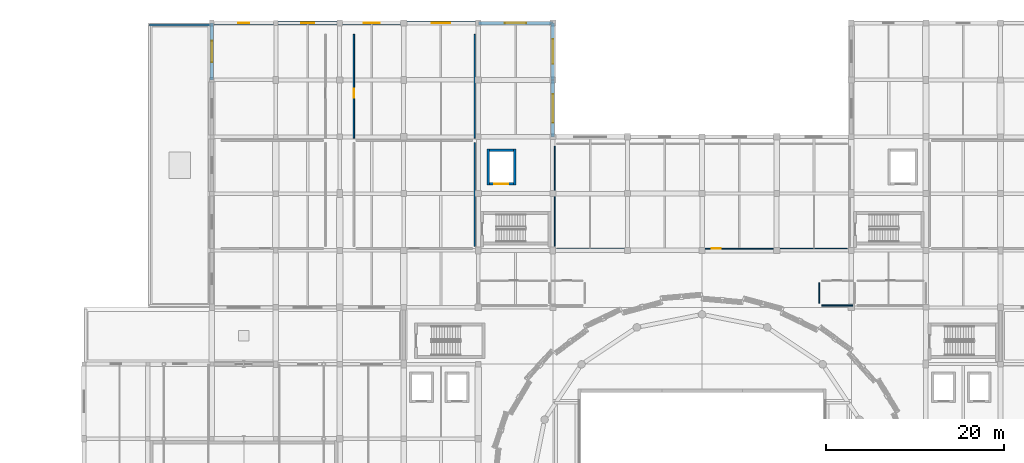
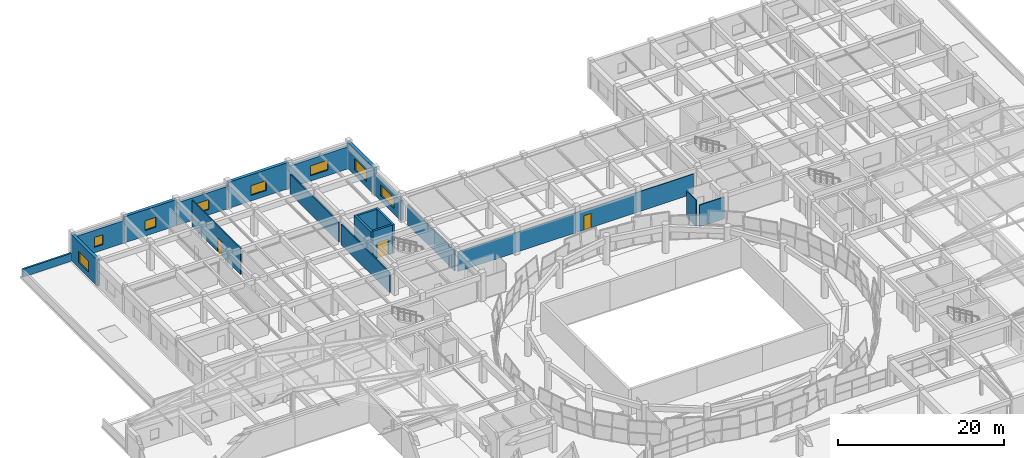
# One storey, part 59 of 74: 20 walls, 8 windows, 3 doors, 11 openings.
"""IFC4 building model written with IfcOpenShell, lengths in metres."""

from ifc_helpers import new_model, si_unit, direction, frame, frame_2d, origin, place, context, subcontext, project, spatial, rectangle, extrude, material, layer, layer_set, type_object, element, fill, save


model = new_model("IFC4")

# Units and contexts
model_context = context("Model", 3, precision=1e-05, world=origin(), true_north=direction((0.0, 1.0)))
body_context = subcontext(model_context, "Body", "Model", "MODEL_VIEW")
ifc_project = project(units=[si_unit("LENGTHUNIT", "METRE"), si_unit("AREAUNIT", "SQUARE_METRE"), si_unit("VOLUMEUNIT", "CUBIC_METRE"), si_unit("PLANEANGLEUNIT", "RADIAN"), si_unit("MASSUNIT", "GRAM", prefix="KILO")], contexts=[model_context])

# Site, building, storey
site_placement = place(None, origin())
site = spatial("IfcSite", under=ifc_project, at=site_placement, CompositionType="ELEMENT")
building_placement = place(site_placement, origin())
building = spatial("IfcBuilding", under=site, at=building_placement, Name="Korsvaeld Concert Hall", CompositionType="ELEMENT")
storey_placement = place(building_placement, frame((0.0, 0.0, 9.0)))
storey = spatial("IfcBuildingStorey", under=building, at=storey_placement, Name="L02", CompositionType="ELEMENT", Elevation=9.0)

# Wall, opening, window
ifc_material_1 = material(Name="Obernkirchener buff sandstone rainscreen on Concrete C35/45", Category="masonry")
ifc_layer_1 = layer(ifc_material_1, 0.389892578125)
ifc_layer_set_1 = layer_set([ifc_layer_1], Name="Obernkirchener buff sandstone rainscreen on Concrete C35/45")
wall_type_1 = type_object("IfcWallType", Name="WL-EXT-BUFF-390", PredefinedType="STANDARD", material=ifc_layer_set_1)
wall_1_placement = place(storey_placement, frame((28.800048828125, 115.199951171875, 0.0), z_axis=(0.0, 0.0, 1.0), x_axis=(1.0, 0.0, 0.0)))
wall_1 = element("IfcWall", 1, at=wall_1_placement, inside=storey, type_object=wall_type_1, Name="Exterior sandstone wall L02-238", PredefinedType="STANDARD", context=body_context, shape_type="SweptSolid", body=[
    extrude(rectangle(XDim=7.199951171875, YDim=0.389892578125, at=frame_2d((3.60009765625, 0.0))), origin(), (0.0, 0.0, 1.0), 3.2900390625),
])
opening_1_placement = place(wall_1_placement, frame((3.0, 0.0, 0.800048828125)))
opening_1 = element("IfcOpeningElement", 2, at=opening_1_placement, cuts=wall_1, Name="Opening WN-06", PredefinedType="OPENING", context=body_context, shape_type="SweptSolid", body=[
    extrude(rectangle(XDim=1.199951171875, YDim=1.449951171875, at=frame_2d((0.60009765625, 0.72509765625))), frame((0.0, 0.205078125, 0.0), z_axis=(0.0, -1.0, 0.0), x_axis=(1.0, 0.0, 0.0)), (0.0, 0.0, 1.0), 0.409912109375),
])
ifc_material_2 = material(Name="Anodised bronze frame with acoustic triple glazing", Category="glass")
window_type_1 = type_object("IfcWindowType", Name="WIN-AC-120x145", PartitioningType="SINGLE_PANEL", PredefinedType="WINDOW", material=ifc_material_2)
window_1_placement = place(opening_1_placement, origin())
window_1 = element("IfcWindow", 3, at=window_1_placement, inside=storey, type_object=window_type_1, Name="Acoustic triple-glazed window L02-142", OverallHeight=1.449951171875, OverallWidth=1.199951171875, PartitioningType="SINGLE_PANEL", PredefinedType="WINDOW", context=body_context, shape_type="SweptSolid", body=[
    extrude(rectangle(XDim=1.199951171875, YDim=1.449951171875, at=frame_2d((0.60009765625, 0.72509765625))), frame((0.0, 0.030029296875, 0.0), z_axis=(0.0, -1.0, 0.0), x_axis=(1.0, 0.0, 0.0)), (0.0, 0.0, 1.0), 0.06005859375),
])
fill(opening_1, window_1)

wall_2_placement = place(storey_placement, frame((43.199951171875, 115.199951171875, 0.0), z_axis=(0.0, 0.0, 1.0), x_axis=(1.0, 0.0, 0.0)))
wall_2 = element("IfcWall", 4, at=wall_2_placement, inside=storey, type_object=wall_type_1, Name="Exterior sandstone wall L02-240", PredefinedType="STANDARD", context=body_context, shape_type="SweptSolid", body=[
    extrude(rectangle(XDim=7.199951171875, YDim=0.389892578125, at=frame_2d((3.60009765625, 0.0))), origin(), (0.0, 0.0, 1.0), 3.2900390625),
])
opening_2_placement = place(wall_2_placement, frame((2.699951171875, 0.0, 0.800048828125)))
opening_2 = element("IfcOpeningElement", 5, at=opening_2_placement, cuts=wall_2, Name="Opening WN-08", PredefinedType="OPENING", context=body_context, shape_type="SweptSolid", body=[
    extrude(rectangle(XDim=1.800048828125, YDim=1.449951171875, at=frame_2d((0.89990234375, 0.72509765625))), frame((0.0, 0.205078125, 0.0), z_axis=(0.0, -1.0, 0.0), x_axis=(1.0, 0.0, 0.0)), (0.0, 0.0, 1.0), 0.409912109375),
])
window_type_2 = type_object("IfcWindowType", Name="WIN-AC-180x145", PartitioningType="SINGLE_PANEL", PredefinedType="WINDOW", material=ifc_material_2)
window_2_placement = place(opening_2_placement, origin())
window_2 = element("IfcWindow", 6, at=window_2_placement, inside=storey, type_object=window_type_2, Name="Acoustic triple-glazed window L02-144", OverallHeight=1.449951171875, OverallWidth=1.800048828125, PartitioningType="SINGLE_PANEL", PredefinedType="WINDOW", context=body_context, shape_type="SweptSolid", body=[
    extrude(rectangle(XDim=1.800048828125, YDim=1.449951171875, at=frame_2d((0.89990234375, 0.72509765625))), frame((0.0, 0.030029296875, 0.0), z_axis=(0.0, -1.0, 0.0), x_axis=(1.0, 0.0, 0.0)), (0.0, 0.0, 1.0), 0.06005859375),
])
fill(opening_2, window_2)

wall_3_placement = place(storey_placement, frame((58.800048828125, 115.199951171875, 0.0), z_axis=(0.0, 0.0, 1.0), x_axis=(1.0, 0.0, 0.0)))
wall_3 = element("IfcWall", 7, at=wall_3_placement, inside=storey, type_object=wall_type_1, Name="Exterior sandstone wall L02-242", PredefinedType="STANDARD", context=body_context, shape_type="SweptSolid", body=[
    extrude(rectangle(XDim=8.39990234375, YDim=0.389892578125, at=frame_2d((4.199951171875, 0.0))), origin(), (0.0, 0.0, 1.0), 3.239990234375),
])
opening_3_placement = place(wall_3_placement, frame((3.0, 0.0, 0.800048828125)))
opening_3 = element("IfcOpeningElement", 8, at=opening_3_placement, cuts=wall_3, Name="Opening WN-10", PredefinedType="OPENING", context=body_context, shape_type="SweptSolid", body=[
    extrude(rectangle(XDim=2.39990234375, YDim=1.449951171875, at=frame_2d((1.199951171875, 0.72509765625))), frame((0.0, 0.205078125, 0.0), z_axis=(0.0, -1.0, 0.0), x_axis=(1.0, 0.0, 0.0)), (0.0, 0.0, 1.0), 0.409912109375),
])
window_type_3 = type_object("IfcWindowType", Name="WIN-AC-240x145", PartitioningType="TRIPLE_PANEL_VERTICAL", PredefinedType="WINDOW", material=ifc_material_2)
window_3_placement = place(opening_3_placement, origin())
window_3 = element("IfcWindow", 9, at=window_3_placement, inside=storey, type_object=window_type_3, Name="Acoustic triple-glazed window L02-146", OverallHeight=1.449951171875, OverallWidth=2.39990234375, PartitioningType="TRIPLE_PANEL_VERTICAL", PredefinedType="WINDOW", context=body_context, shape_type="SweptSolid", body=[
    extrude(rectangle(XDim=2.39990234375, YDim=1.449951171875, at=frame_2d((1.199951171875, 0.72509765625))), frame((0.0, 0.030029296875, 0.0), z_axis=(0.0, -1.0, 0.0), x_axis=(1.0, 0.0, 0.0)), (0.0, 0.0, 1.0), 0.06005859375),
])
fill(opening_3, window_3)

wall_4_placement = place(storey_placement, frame((67.199951171875, 108.800048828125, 0.0), z_axis=(0.0, 0.0, 1.0), x_axis=(0.0, -1.0, 0.0)))
wall_4 = element("IfcWall", 10, at=wall_4_placement, inside=storey, type_object=wall_type_1, Name="Exterior sandstone wall L02-244", PredefinedType="STANDARD", context=body_context, shape_type="SweptSolid", body=[
    extrude(rectangle(XDim=6.400146484375, YDim=0.389892578125, at=frame_2d((3.2001953125, 0.0))), origin(), (0.0, 0.0, 1.0), 2.93994140625),
])
opening_4_placement = place(wall_4_placement, frame((1.60009765625, 0.0, 0.800048828125)))
opening_4 = element("IfcOpeningElement", 11, at=opening_4_placement, cuts=wall_4, Name="Opening WN-15", PredefinedType="OPENING", context=body_context, shape_type="SweptSolid", body=[
    extrude(rectangle(XDim=3.199951171875, YDim=1.60009765625, at=frame_2d((1.60009765625, 0.800048828125))), frame((0.0, 0.205078125, 0.0), z_axis=(0.0, -1.0, 0.0), x_axis=(1.0, 0.0, 0.0)), (0.0, 0.0, 1.0), 0.409912109375),
])
window_type_4 = type_object("IfcWindowType", Name="WIN-AC-320x160", PartitioningType="TRIPLE_PANEL_VERTICAL", PredefinedType="WINDOW", material=ifc_material_2)
window_4_placement = place(opening_4_placement, origin())
window_4 = element("IfcWindow", 12, at=window_4_placement, inside=storey, type_object=window_type_4, Name="Acoustic triple-glazed window L02-148", OverallHeight=1.60009765625, OverallWidth=3.199951171875, PartitioningType="TRIPLE_PANEL_VERTICAL", PredefinedType="WINDOW", context=body_context, shape_type="SweptSolid", body=[
    extrude(rectangle(XDim=3.199951171875, YDim=1.60009765625, at=frame_2d((1.60009765625, 0.800048828125))), frame((0.0, 0.030029296875, 0.0), z_axis=(0.0, -1.0, 0.0), x_axis=(1.0, 0.0, 0.0)), (0.0, 0.0, 1.0), 0.06005859375),
])
fill(opening_4, window_4)

ifc_material_3 = material(Name="Bornholm Nexo rose-red sandstone rainscreen on Concrete C35/45", Category="masonry")
ifc_layer_2 = layer(ifc_material_3, 0.419921875)
ifc_layer_set_2 = layer_set([ifc_layer_2], Name="Bornholm Nexo rose-red sandstone rainscreen on Concrete C35/45")
wall_type_2 = type_object("IfcWallType", Name="WL-EXT-NEXO-420", PredefinedType="STANDARD", material=ifc_layer_set_2)
wall_5_placement = place(storey_placement, frame((28.800048828125, 108.800048828125, 0.0), z_axis=(0.0, 0.0, 1.0), x_axis=(0.0, 1.0, 0.0)))
wall_5 = element("IfcWall", 13, at=wall_5_placement, inside=storey, type_object=wall_type_2, Name="Exterior sandstone wall L02-237", PredefinedType="STANDARD", context=body_context, shape_type="SweptSolid", body=[
    extrude(rectangle(XDim=6.39990234375, YDim=0.419921875, at=frame_2d((3.199951171875, 0.0))), origin(), (0.0, 0.0, 1.0), 3.840087890625),
])
opening_5_placement = place(wall_5_placement, frame((2.0, 0.0, 0.800048828125)))
opening_5 = element("IfcOpeningElement", 14, at=opening_5_placement, cuts=wall_5, Name="Opening WN-05", PredefinedType="OPENING", context=body_context, shape_type="SweptSolid", body=[
    extrude(rectangle(XDim=2.39990234375, YDim=1.64990234375, at=frame_2d((1.199951171875, 0.824951171875))), frame((0.0, 0.219970703125, 0.0), z_axis=(0.0, -1.0, 0.0), x_axis=(1.0, 0.0, 0.0)), (0.0, 0.0, 1.0), 0.43994140625),
])
window_type_5 = type_object("IfcWindowType", Name="WIN-AC-240x165", PartitioningType="TRIPLE_PANEL_VERTICAL", PredefinedType="WINDOW", material=ifc_material_2)
window_5_placement = place(opening_5_placement, origin())
window_5 = element("IfcWindow", 15, at=window_5_placement, inside=storey, type_object=window_type_5, Name="Acoustic triple-glazed window L02-141", OverallHeight=1.64990234375, OverallWidth=2.39990234375, PartitioningType="TRIPLE_PANEL_VERTICAL", PredefinedType="WINDOW", context=body_context, shape_type="SweptSolid", body=[
    extrude(rectangle(XDim=2.39990234375, YDim=1.64990234375, at=frame_2d((1.199951171875, 0.824951171875))), frame((0.0, 0.030029296875, 0.0), z_axis=(0.0, -1.0, 0.0), x_axis=(1.0, 0.0, 0.0)), (0.0, 0.0, 1.0), 0.06005859375),
])
fill(opening_5, window_5)

wall_6_placement = place(storey_placement, frame((36.0, 115.199951171875, 0.0), z_axis=(0.0, 0.0, 1.0), x_axis=(1.0, 0.0, 0.0)))
wall_6 = element("IfcWall", 16, at=wall_6_placement, inside=storey, type_object=wall_type_2, Name="Exterior sandstone wall L02-239", PredefinedType="STANDARD", context=body_context, shape_type="SweptSolid", body=[
    extrude(rectangle(XDim=7.199951171875, YDim=0.419921875, at=frame_2d((3.60009765625, 0.0))), origin(), (0.0, 0.0, 1.0), 3.840087890625),
])
opening_6_placement = place(wall_6_placement, frame((2.85009765625, 0.0, 0.800048828125)))
opening_6 = element("IfcOpeningElement", 17, at=opening_6_placement, cuts=wall_6, Name="Opening WN-07", PredefinedType="OPENING", context=body_context, shape_type="SweptSolid", body=[
    extrude(rectangle(XDim=1.5, YDim=1.449951171875, at=frame_2d((0.75, 0.72509765625))), frame((0.0, 0.219970703125, 0.0), z_axis=(0.0, -1.0, 0.0), x_axis=(1.0, 0.0, 0.0)), (0.0, 0.0, 1.0), 0.43994140625),
])
window_type_6 = type_object("IfcWindowType", Name="WIN-AC-150x145", PartitioningType="SINGLE_PANEL", PredefinedType="WINDOW", material=ifc_material_2)
window_6_placement = place(opening_6_placement, origin())
window_6 = element("IfcWindow", 18, at=window_6_placement, inside=storey, type_object=window_type_6, Name="Acoustic triple-glazed window L02-143", OverallHeight=1.449951171875, OverallWidth=1.5, PartitioningType="SINGLE_PANEL", PredefinedType="WINDOW", context=body_context, shape_type="SweptSolid", body=[
    extrude(rectangle(XDim=1.5, YDim=1.449951171875, at=frame_2d((0.75, 0.72509765625))), frame((0.0, 0.030029296875, 0.0), z_axis=(0.0, -1.0, 0.0), x_axis=(1.0, 0.0, 0.0)), (0.0, 0.0, 1.0), 0.06005859375),
])
fill(opening_6, window_6)

wall_7_placement = place(storey_placement, frame((50.39990234375, 115.199951171875, 0.0), z_axis=(0.0, 0.0, 1.0), x_axis=(1.0, 0.0, 0.0)))
wall_7 = element("IfcWall", 19, at=wall_7_placement, inside=storey, type_object=wall_type_2, Name="Exterior sandstone wall L02-241", PredefinedType="STANDARD", context=body_context, shape_type="SweptSolid", body=[
    extrude(rectangle(XDim=8.400146484375, YDim=0.419921875, at=frame_2d((4.2001953125, 0.0))), origin(), (0.0, 0.0, 1.0), 3.840087890625),
])
opening_7_placement = place(wall_7_placement, frame((3.14990234375, 0.0, 0.800048828125)))
opening_7 = element("IfcOpeningElement", 20, at=opening_7_placement, cuts=wall_7, Name="Opening WN-09", PredefinedType="OPENING", context=body_context, shape_type="SweptSolid", body=[
    extrude(rectangle(XDim=2.10009765625, YDim=1.449951171875, at=frame_2d((1.050048828125, 0.72509765625))), frame((0.0, 0.219970703125, 0.0), z_axis=(0.0, -1.0, 0.0), x_axis=(1.0, 0.0, 0.0)), (0.0, 0.0, 1.0), 0.43994140625),
])
window_type_7 = type_object("IfcWindowType", Name="WIN-AC-210x145", PartitioningType="SINGLE_PANEL", PredefinedType="WINDOW", material=ifc_material_2)
window_7_placement = place(opening_7_placement, origin())
window_7 = element("IfcWindow", 21, at=window_7_placement, inside=storey, type_object=window_type_7, Name="Acoustic triple-glazed window L02-145", OverallHeight=1.449951171875, OverallWidth=2.10009765625, PartitioningType="SINGLE_PANEL", PredefinedType="WINDOW", context=body_context, shape_type="SweptSolid", body=[
    extrude(rectangle(XDim=2.10009765625, YDim=1.449951171875, at=frame_2d((1.050048828125, 0.72509765625))), frame((0.0, 0.030029296875, 0.0), z_axis=(0.0, -1.0, 0.0), x_axis=(1.0, 0.0, 0.0)), (0.0, 0.0, 1.0), 0.06005859375),
])
fill(opening_7, window_7)

wall_8_placement = place(storey_placement, frame((67.199951171875, 115.199951171875, 0.0), z_axis=(0.0, 0.0, 1.0), x_axis=(0.0, -1.0, 0.0)))
wall_8 = element("IfcWall", 22, at=wall_8_placement, inside=storey, type_object=wall_type_2, Name="Exterior sandstone wall L02-243", PredefinedType="STANDARD", context=body_context, shape_type="SweptSolid", body=[
    extrude(rectangle(XDim=6.39990234375, YDim=0.419921875, at=frame_2d((3.199951171875, 0.0))), origin(), (0.0, 0.0, 1.0), 3.840087890625),
])
opening_8_placement = place(wall_8_placement, frame((1.800048828125, 0.0, 0.800048828125)))
opening_8 = element("IfcOpeningElement", 23, at=opening_8_placement, cuts=wall_8, Name="Opening WN-14", PredefinedType="OPENING", context=body_context, shape_type="SweptSolid", body=[
    extrude(rectangle(XDim=2.800048828125, YDim=1.60009765625, at=frame_2d((1.39990234375, 0.800048828125))), frame((0.0, 0.219970703125, 0.0), z_axis=(0.0, -1.0, 0.0), x_axis=(1.0, 0.0, 0.0)), (0.0, 0.0, 1.0), 0.43994140625),
])
window_type_8 = type_object("IfcWindowType", Name="WIN-AC-280x160", PartitioningType="TRIPLE_PANEL_VERTICAL", PredefinedType="WINDOW", material=ifc_material_2)
window_8_placement = place(opening_8_placement, origin())
window_8 = element("IfcWindow", 24, at=window_8_placement, inside=storey, type_object=window_type_8, Name="Acoustic triple-glazed window L02-147", OverallHeight=1.60009765625, OverallWidth=2.800048828125, PartitioningType="TRIPLE_PANEL_VERTICAL", PredefinedType="WINDOW", context=body_context, shape_type="SweptSolid", body=[
    extrude(rectangle(XDim=2.800048828125, YDim=1.60009765625, at=frame_2d((1.39990234375, 0.800048828125))), frame((0.0, 0.030029296875, 0.0), z_axis=(0.0, -1.0, 0.0), x_axis=(1.0, 0.0, 0.0)), (0.0, 0.0, 1.0), 0.06005859375),
])
fill(opening_8, window_8)

# Wall
ifc_material_4 = material(Name="Bornholm Nexo sandstone parapet on Concrete C35/45", Category="masonry")
ifc_layer_3 = layer(ifc_material_4, 0.239990234375)
ifc_layer_set_3 = layer_set([ifc_layer_3], Name="Bornholm Nexo sandstone parapet on Concrete C35/45")
wall_type_3 = type_object("IfcWallType", Name="WL-PARAPET-240", PredefinedType="PARAPET", material=ifc_layer_set_3)
wall_9_placement = place(storey_placement, frame((28.60009765625, 115.0, 0.0), z_axis=(0.0, 0.0, 1.0), x_axis=(-1.0, 0.0, 0.0)))
element("IfcWall", 25, at=wall_9_placement, inside=storey, type_object=wall_type_3, Name="Roof parapet SLB-ROOF_L02_NW-3", PredefinedType="PARAPET", context=body_context, shape_type="SweptSolid", body=[
    extrude(rectangle(XDim=6.800048828125, YDim=0.239990234375, at=frame_2d((3.39990234375, 0.0))), origin(), (0.0, 0.0, 1.0), 1.14990234375),
])

# Wall, opening, door
ifc_material_5 = material(Name="Insulated acoustic gypsum partition")
ifc_layer_4 = layer(ifc_material_5, 0.125)
ifc_layer_set_4 = layer_set([ifc_layer_4], Name="Insulated acoustic gypsum partition")
wall_type_4 = type_object("IfcWallType", Name="WL-PART-125", PredefinedType="PARTITIONING", material=ifc_layer_set_4)
wall_10_placement = place(storey_placement, frame((67.659912109375, 89.800048828125, 0.0), z_axis=(0.0, 0.0, 1.0), x_axis=(1.0, 0.0, 0.0)))
wall_10 = element("IfcWall", 26, at=wall_10_placement, inside=storey, type_object=wall_type_4, Name="Interior partition L02-13 S", PredefinedType="PARTITIONING", context=body_context, shape_type="SweptSolid", body=[
    extrude(rectangle(XDim=32.68017578125, YDim=0.125, at=frame_2d((16.340087890625, 0.0))), origin(), (0.0, 0.0, 1.0), 2.9150390625),
])
opening_9_placement = place(wall_10_placement, frame((17.449951171875, 0.0, 0.0)))
opening_9 = element("IfcOpeningElement", 27, at=opening_9_placement, cuts=wall_10, Name="Opening ID-03", PredefinedType="OPENING", context=body_context, shape_type="SweptSolid", body=[
    extrude(rectangle(XDim=0.97998046875, YDim=2.10009765625, at=frame_2d((0.489990234375, 1.050048828125))), frame((0.0, 0.072509765625, 0.0), z_axis=(0.0, -1.0, 0.0), x_axis=(1.0, 0.0, 0.0)), (0.0, 0.0, 1.0), 0.14501953125),
])
ifc_material_6 = material(Name="European oak dressing room door")
door_type_1 = type_object("IfcDoorType", Name="DR-INT-DRS-098x210", OperationType="NOTDEFINED", PredefinedType="DOOR", material=ifc_material_6)
door_1_placement = place(opening_9_placement, origin())
door_1 = element("IfcDoor", 28, at=door_1_placement, inside=storey, type_object=door_type_1, Name="Guest Conductor & Soloist Suites door L02-13", OperationType="SINGLE_SWING_RIGHT", OverallHeight=2.10009765625, OverallWidth=0.97998046875, PredefinedType="DOOR", context=body_context, shape_type="SweptSolid", body=[
    extrude(rectangle(XDim=0.97998046875, YDim=2.10009765625, at=frame_2d((0.489990234375, 1.050048828125))), frame((0.0, 0.02490234375, 0.0), z_axis=(0.0, -1.0, 0.0), x_axis=(1.0, 0.0, 0.0)), (0.0, 0.0, 1.0), 0.050048828125),
])
fill(opening_9, door_1)

# Walls
wall_11_placement = place(storey_placement, frame((67.39990234375, 101.340087890625, 0.0), z_axis=(0.0, 0.0, 1.0), x_axis=(0.0, -1.0, 0.0)))
element("IfcWall", 29, at=wall_11_placement, inside=storey, type_object=wall_type_4, Name="Interior partition L02-13 W", PredefinedType="PARTITIONING", context=body_context, shape_type="SweptSolid", body=[
    extrude(rectangle(XDim=11.280029296875, YDim=0.125, at=frame_2d((5.64013671875, 0.0))), origin(), (0.0, 0.0, 1.0), 2.965087890625),
])
wall_12_placement = place(storey_placement, frame((97.4599609375, 83.39990234375, 0.0), z_axis=(0.0, 0.0, 1.0), x_axis=(1.0, 0.0, 0.0)))
element("IfcWall", 30, at=wall_12_placement, inside=storey, type_object=wall_type_4, Name="Interior partition L02-22 S", PredefinedType="PARTITIONING", context=body_context, shape_type="SweptSolid", body=[
    extrude(rectangle(XDim=3.47998046875, YDim=0.125, at=frame_2d((1.739990234375, 0.0))), origin(), (0.0, 0.0, 1.0), 3.215087890625),
])
wall_13_placement = place(storey_placement, frame((97.199951171875, 85.93994140625, 0.0), z_axis=(0.0, 0.0, 1.0), x_axis=(0.0, -1.0, 0.0)))
element("IfcWall", 31, at=wall_13_placement, inside=storey, type_object=wall_type_4, Name="Interior partition L02-22 W", PredefinedType="PARTITIONING", context=body_context, shape_type="SweptSolid", body=[
    extrude(rectangle(XDim=2.280029296875, YDim=0.125, at=frame_2d((1.14013671875, 0.0))), origin(), (0.0, 0.0, 1.0), 3.840087890625),
])
ifc_material_7 = material(Name="Double-stud acoustic rehearsal partition")
ifc_layer_5 = layer(ifc_material_7, 0.159912109375)
ifc_layer_set_5 = layer_set([ifc_layer_5], Name="Double-stud acoustic rehearsal partition")
wall_type_5 = type_object("IfcWallType", Name="WL-PART-160", PredefinedType="PARTITIONING", material=ifc_layer_set_5)
wall_14_placement = place(storey_placement, frame((58.39990234375, 90.06005859375, 0.0), z_axis=(0.0, 0.0, 1.0), x_axis=(0.0, 1.0, 0.0)))
element("IfcWall", 32, at=wall_14_placement, inside=storey, type_object=wall_type_5, Name="Interior partition L02-11 E", PredefinedType="PARTITIONING", context=body_context, shape_type="SweptSolid", body=[
    extrude(rectangle(XDim=11.679931640625, YDim=0.159912109375, at=frame_2d((5.83984375, 0.0))), origin(), (0.0, 0.0, 1.0), 2.965087890625),
])
wall_15_placement = place(storey_placement, frame((58.39990234375, 102.260009765625, 0.0), z_axis=(0.0, 0.0, 1.0), x_axis=(0.0, 1.0, 0.0)))
element("IfcWall", 33, at=wall_15_placement, inside=storey, type_object=wall_type_5, Name="Interior partition L02-12 E", PredefinedType="PARTITIONING", context=body_context, shape_type="SweptSolid", body=[
    extrude(rectangle(XDim=11.679931640625, YDim=0.159912109375, at=frame_2d((5.83984375, 0.0))), origin(), (0.0, 0.0, 1.0), 2.9150390625),
])

# Wall, opening, door
wall_16_placement = place(storey_placement, frame((44.800048828125, 113.93994140625, 0.0), z_axis=(0.0, 0.0, 1.0), x_axis=(0.0, -1.0, 0.0)))
wall_16 = element("IfcWall", 34, at=wall_16_placement, inside=storey, type_object=wall_type_5, Name="Interior partition L02-12 W", PredefinedType="PARTITIONING", context=body_context, shape_type="SweptSolid", body=[
    extrude(rectangle(XDim=11.679931640625, YDim=0.159912109375, at=frame_2d((5.83984375, 0.0))), origin(), (0.0, 0.0, 1.0), 3.840087890625),
])
opening_10_placement = place(wall_16_placement, frame((6.114990234375, 0.0, 0.0)))
opening_10 = element("IfcOpeningElement", 35, at=opening_10_placement, cuts=wall_16, Name="Opening ID-02", PredefinedType="OPENING", context=body_context, shape_type="SweptSolid", body=[
    extrude(rectangle(XDim=1.050048828125, YDim=2.10009765625, at=frame_2d((0.52490234375, 1.050048828125))), frame((0.0, 0.08984375, 0.0), z_axis=(0.0, -1.0, 0.0), x_axis=(1.0, 0.0, 0.0)), (0.0, 0.0, 1.0), 0.179931640625),
])
ifc_material_8 = material(Name="Solid European oak practice room door")
door_type_2 = type_object("IfcDoorType", Name="DR-INT-PRC-105x210", OperationType="NOTDEFINED", PredefinedType="DOOR", material=ifc_material_8)
door_2_placement = place(opening_10_placement, origin())
door_2 = element("IfcDoor", 36, at=door_2_placement, inside=storey, type_object=door_type_2, Name="Piano Practice Studios L02-09..12 door L02-12", OperationType="SINGLE_SWING_RIGHT", OverallHeight=2.10009765625, OverallWidth=1.050048828125, PredefinedType="DOOR", context=body_context, shape_type="SweptSolid", body=[
    extrude(rectangle(XDim=1.050048828125, YDim=2.10009765625, at=frame_2d((0.52490234375, 1.050048828125))), frame((0.0, 0.02490234375, 0.0), z_axis=(0.0, -1.0, 0.0), x_axis=(1.0, 0.0, 0.0)), (0.0, 0.0, 1.0), 0.050048828125),
])
fill(opening_10, door_2)

ifc_material_9 = material(Name="Concrete C40/50", Category="concrete")
ifc_layer_6 = layer(ifc_material_9, 0.280029296875)
ifc_layer_set_6 = layer_set([ifc_layer_6], Name="Concrete C40/50")
wall_type_6 = type_object("IfcWallType", Name="WL-SHAFT-280", PredefinedType="SHEAR", material=ifc_layer_set_6)
wall_17_placement = place(storey_placement, frame((60.0400390625, 97.10009765625, 0.0), z_axis=(0.0, 0.0, 1.0), x_axis=(1.0, 0.0, 0.0)))
wall_17 = element("IfcWall", 37, at=wall_17_placement, inside=storey, type_object=wall_type_6, Name="Lift LG-01 shaft wall L02 S", PredefinedType="SHEAR", context=body_context, shape_type="SweptSolid", body=[
    extrude(rectangle(XDim=2.719970703125, YDim=0.280029296875, at=frame_2d((1.35986328125, 0.0))), origin(), (0.0, 0.0, 1.0), 4.199951171875),
])
opening_11_placement = place(wall_17_placement, frame((0.56005859375, 0.0, 0.0)))
opening_11 = element("IfcOpeningElement", 38, at=opening_11_placement, cuts=wall_17, Name="Opening LD-03", PredefinedType="OPENING", context=body_context, shape_type="SweptSolid", body=[
    extrude(rectangle(XDim=1.60009765625, YDim=2.300048828125, at=frame_2d((0.800048828125, 1.14990234375))), frame((0.0, 0.14990234375, 0.0), z_axis=(0.0, -1.0, 0.0), x_axis=(1.0, 0.0, 0.0)), (0.0, 0.0, 1.0), 0.300048828125),
])
ifc_material_10 = material(Name="Heavy-duty stainless sliding goods lift landing door")
door_type_3 = type_object("IfcDoorType", Name="DR-LD-GOODS-160x230", OperationType="NOTDEFINED", PredefinedType="DOOR", material=ifc_material_10)
door_3_placement = place(opening_11_placement, origin())
door_3 = element("IfcDoor", 39, at=door_3_placement, inside=storey, type_object=door_type_3, Name="Lift landing door LG-01 L02", OperationType="SLIDING_TO_LEFT", OverallHeight=2.300048828125, OverallWidth=1.60009765625, PredefinedType="DOOR", context=body_context, shape_type="SweptSolid", body=[
    extrude(rectangle(XDim=1.60009765625, YDim=2.300048828125, at=frame_2d((0.800048828125, 1.14990234375))), frame((0.0, 0.02490234375, 0.0), z_axis=(0.0, -1.0, 0.0), x_axis=(1.0, 0.0, 0.0)), (0.0, 0.0, 1.0), 0.050048828125),
])
fill(opening_11, door_3)

# Walls
wall_18_placement = place(storey_placement, frame((62.89990234375, 96.9599609375, 0.0), z_axis=(0.0, 0.0, 1.0), x_axis=(0.0, 1.0, 0.0)))
element("IfcWall", 40, at=wall_18_placement, inside=storey, type_object=wall_type_6, Name="Lift LG-01 shaft wall L02 E", PredefinedType="SHEAR", context=body_context, shape_type="SweptSolid", body=[
    extrude(rectangle(XDim=4.080078125, YDim=0.280029296875, at=frame_2d((2.0400390625, 0.0))), origin(), (0.0, 0.0, 1.0), 4.199951171875),
])
wall_19_placement = place(storey_placement, frame((62.760009765625, 100.89990234375, 0.0), z_axis=(0.0, 0.0, 1.0), x_axis=(-1.0, 0.0, 0.0)))
element("IfcWall", 41, at=wall_19_placement, inside=storey, type_object=wall_type_6, Name="Lift LG-01 shaft wall L02 N", PredefinedType="SHEAR", context=body_context, shape_type="SweptSolid", body=[
    extrude(rectangle(XDim=2.719970703125, YDim=0.280029296875, at=frame_2d((1.35986328125, 0.0))), origin(), (0.0, 0.0, 1.0), 4.199951171875),
])
wall_20_placement = place(storey_placement, frame((59.89990234375, 101.0400390625, 0.0), z_axis=(0.0, 0.0, 1.0), x_axis=(0.0, -1.0, 0.0)))
element("IfcWall", 42, at=wall_20_placement, inside=storey, type_object=wall_type_6, Name="Lift LG-01 shaft wall L02 W", PredefinedType="SHEAR", context=body_context, shape_type="SweptSolid", body=[
    extrude(rectangle(XDim=4.080078125, YDim=0.280029296875, at=frame_2d((2.0400390625, 0.0))), origin(), (0.0, 0.0, 1.0), 4.199951171875),
])

save(model, "model.ifc")
